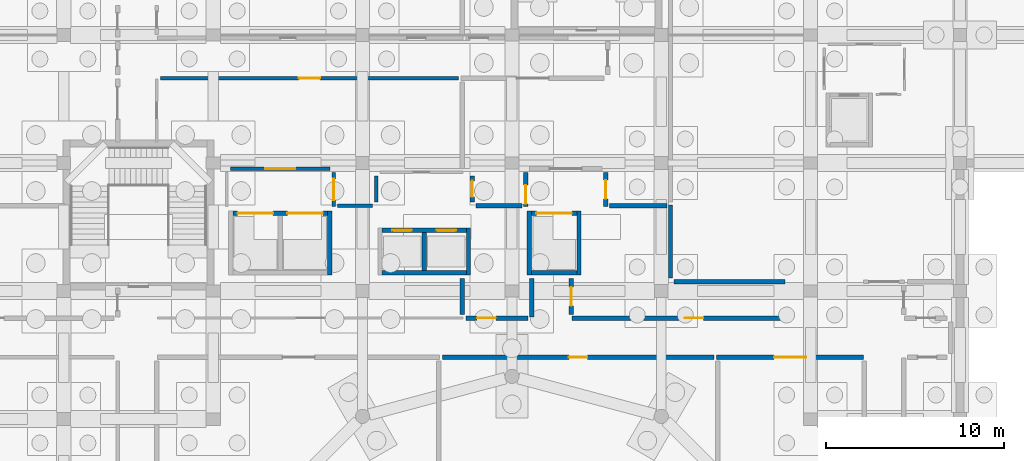
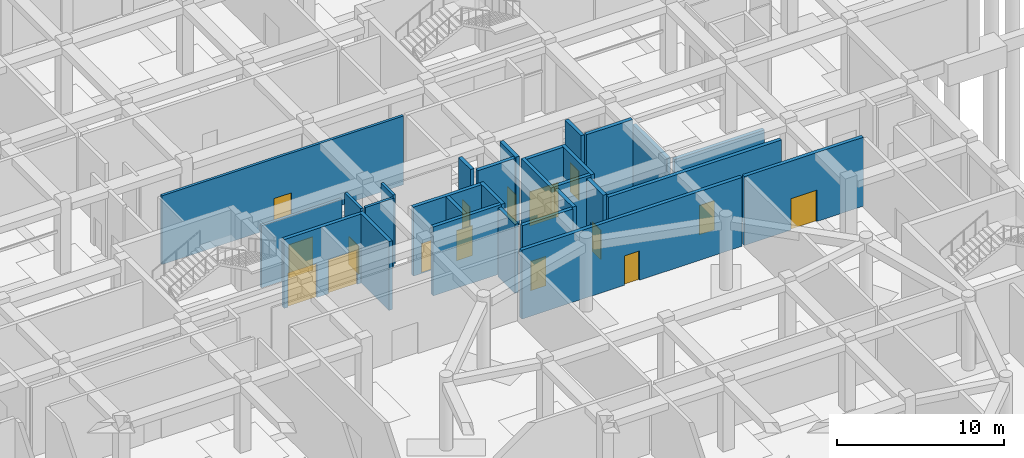
# One storey, part 24 of 32: 29 walls, 16 doors, 16 openings.
"""IFC4 building model written with IfcOpenShell, lengths in metres."""

from ifc_helpers import new_model, si_unit, derived_unit, direction, frame, frame_2d, origin, place, context, subcontext, project, spatial, rectangle, extrude, material, layer, layer_set, type_object, element, fill, save


model = new_model("IFC4")

# Units and contexts
model_context = context("Model", 3, precision=1e-05, world=origin(), true_north=direction((0.0, 1.0)))
body_context = subcontext(model_context, "Body", "Model", "MODEL_VIEW")
ifc_project = project(units=[si_unit("LENGTHUNIT", "METRE"), si_unit("AREAUNIT", "SQUARE_METRE"), si_unit("VOLUMEUNIT", "CUBIC_METRE"), si_unit("PLANEANGLEUNIT", "RADIAN"), si_unit("MASSUNIT", "GRAM", prefix="KILO"), derived_unit("THERMALTRANSMITTANCEUNIT", [(si_unit("POWERUNIT", "WATT"), 1), (si_unit("LENGTHUNIT", "METRE"), -2), (si_unit("THERMODYNAMICTEMPERATUREUNIT", "KELVIN"), -1)])], contexts=[model_context])

# Site, building, storey
site_placement = place(None, origin())
site = spatial("IfcSite", under=ifc_project, at=site_placement, CompositionType="ELEMENT")
building_placement = place(site_placement, origin())
building = spatial("IfcBuilding", under=site, at=building_placement, Name="Veybourne Emporium", CompositionType="ELEMENT")
storey_placement = place(building_placement, frame((0.0, 0.0, -5.39990234375)))
storey = spatial("IfcBuildingStorey", under=building, at=storey_placement, Name="B1", CompositionType="ELEMENT", Elevation=-5.39990234375)

# Wall, openings, doors
ifc_material_1 = material(Name="Concrete C40/50", Category="concrete")
ifc_layer_1 = layer(ifc_material_1, 0.239990234375)
ifc_layer_set_1 = layer_set([ifc_layer_1], Name="Concrete C40/50")
wall_type_1 = type_object("IfcWallType", Name="IntWall_CW-04", PredefinedType="SHEAR", material=ifc_layer_set_1)
wall_1_placement = place(storey_placement, frame((73.0400390625, 75.419921875, 0.0), z_axis=(0.0, 0.0, 1.0), x_axis=(-1.0, 0.0, 0.0)))
wall_1 = element("IfcWall", 1, at=wall_1_placement, inside=storey, type_object=wall_type_1, Name="Lift core C4P north shaft wall (B1)", PredefinedType="SHEAR", context=body_context, shape_type="SweptSolid", body=[
    extrude(rectangle(XDim=4.739990234375, YDim=0.239990234375, at=frame_2d((2.3701171875, 0.0))), origin(), (0.0, 0.0, 1.0), 5.0498046875),
])
opening_1_placement = place(wall_1_placement, frame((3.06494140625, 0.0, 0.0)))
opening_1 = element("IfcOpeningElement", 2, at=opening_1_placement, cuts=wall_1, Name="Opening LD-01", PredefinedType="OPENING", context=body_context, shape_type="SweptSolid", body=[
    extrude(rectangle(XDim=1.10009765625, YDim=2.199951171875, at=frame_2d((0.550048828125, 1.10009765625))), frame((0.0, 0.14013671875, 0.0), z_axis=(0.0, -1.0, 0.0), x_axis=(1.0, 0.0, 0.0)), (0.0, 0.0, 1.0), 0.280029296875),
])
opening_2_placement = place(wall_1_placement, frame((0.574951171875, 0.0, 0.0)))
opening_2 = element("IfcOpeningElement", 3, at=opening_2_placement, cuts=wall_1, Name="Opening LD-01", PredefinedType="OPENING", context=body_context, shape_type="SweptSolid", body=[
    extrude(rectangle(XDim=1.10009765625, YDim=2.199951171875, at=frame_2d((0.550048828125, 1.10009765625))), frame((0.0, 0.14013671875, 0.0), z_axis=(0.0, -1.0, 0.0), x_axis=(1.0, 0.0, 0.0)), (0.0, 0.0, 1.0), 0.280029296875),
])
ifc_material_2 = material(Name="Patinated Architectural Bronze", Category="bronze")
door_type_1 = type_object("IfcDoorType", Name="FireDoor_LD-01", OperationType="DOUBLE_DOOR_SLIDING", PredefinedType="DOOR", material=ifc_material_2)
door_1_placement = place(opening_1_placement, origin())
door_1 = element("IfcDoor", 4, at=door_1_placement, inside=storey, type_object=door_type_1, Name="Lift PL-05 sliding landing door (B1)", OperationType="DOUBLE_DOOR_SLIDING", OverallHeight=2.199951171875, OverallWidth=1.10009765625, PredefinedType="DOOR", context=body_context, shape_type="SweptSolid", body=[
    extrude(rectangle(XDim=1.10009765625, YDim=2.199951171875, at=frame_2d((0.550048828125, 1.10009765625))), frame((0.0, 0.02490234375, 0.0), z_axis=(0.0, -1.0, 0.0), x_axis=(1.0, 0.0, 0.0)), (0.0, 0.0, 1.0), 0.050048828125),
])
fill(opening_1, door_1)
door_2_placement = place(opening_2_placement, origin())
door_2 = element("IfcDoor", 5, at=door_2_placement, inside=storey, type_object=door_type_1, Name="Lift PL-06 sliding landing door (B1)", OperationType="DOUBLE_DOOR_SLIDING", OverallHeight=2.199951171875, OverallWidth=1.10009765625, PredefinedType="DOOR", context=body_context, shape_type="SweptSolid", body=[
    extrude(rectangle(XDim=1.10009765625, YDim=2.199951171875, at=frame_2d((0.550048828125, 1.10009765625))), frame((0.0, 0.02490234375, 0.0), z_axis=(0.0, -1.0, 0.0), x_axis=(1.0, 0.0, 0.0)), (0.0, 0.0, 1.0), 0.050048828125),
])
fill(opening_2, door_2)

# Walls
wall_2_placement = place(storey_placement, frame((68.300048828125, 73.030029296875, 0.0), z_axis=(0.0, 0.0, 1.0), x_axis=(1.0, 0.0, 0.0)))
element("IfcWall", 6, at=wall_2_placement, inside=storey, type_object=wall_type_1, Name="Lift core C4P south shaft wall (B1)", PredefinedType="SHEAR", context=body_context, shape_type="SweptSolid", body=[
    extrude(rectangle(XDim=4.739990234375, YDim=0.239990234375, at=frame_2d((2.3701171875, 0.0))), origin(), (0.0, 0.0, 1.0), 5.0498046875),
])
wall_3_placement = place(storey_placement, frame((73.159912109375, 72.909912109375, 0.0), z_axis=(0.0, 0.0, 1.0), x_axis=(0.0, 1.0, 0.0)))
element("IfcWall", 7, at=wall_3_placement, inside=storey, type_object=wall_type_1, Name="Lift core C4P east shaft wall (B1)", PredefinedType="SHEAR", context=body_context, shape_type="SweptSolid", body=[
    extrude(rectangle(XDim=2.630126953125, YDim=0.239990234375, at=frame_2d((1.31494140625, 0.0))), origin(), (0.0, 0.0, 1.0), 5.0498046875),
])
wall_4_placement = place(storey_placement, frame((70.669921875, 73.14990234375, 0.0), z_axis=(0.0, 0.0, 1.0), x_axis=(0.0, 1.0, 0.0)))
element("IfcWall", 8, at=wall_4_placement, inside=storey, type_object=wall_type_1, Name="Lift core C4P divider wall 1 (B1)", PredefinedType="SHEAR", context=body_context, shape_type="SweptSolid", body=[
    extrude(rectangle(XDim=2.150146484375, YDim=0.239990234375, at=frame_2d((1.0751953125, 0.0))), origin(), (0.0, 0.0, 1.0), 5.0498046875),
])

# Wall, openings, doors
wall_5_placement = place(storey_placement, frame((65.239990234375, 76.3701171875, 0.0), z_axis=(0.0, 0.0, 1.0), x_axis=(-1.0, 0.0, 0.0)))
wall_5 = element("IfcWall", 9, at=wall_5_placement, inside=storey, type_object=wall_type_1, Name="Lift core C4G north shaft wall (B1)", PredefinedType="SHEAR", context=body_context, shape_type="SweptSolid", body=[
    extrude(rectangle(XDim=5.340087890625, YDim=0.239990234375, at=frame_2d((2.669921875, 0.0))), origin(), (0.0, 0.0, 1.0), 5.0498046875),
])
opening_3_placement = place(wall_5_placement, frame((3.06494140625, 0.0, 0.0)))
opening_3 = element("IfcOpeningElement", 10, at=opening_3_placement, cuts=wall_5, Name="Opening LD-03", PredefinedType="OPENING", context=body_context, shape_type="SweptSolid", body=[
    extrude(rectangle(XDim=2.0, YDim=2.5, at=frame_2d((1.0, 1.25))), frame((0.0, 0.14013671875, 0.0), z_axis=(0.0, -1.0, 0.0), x_axis=(1.0, 0.0, 0.0)), (0.0, 0.0, 1.0), 0.280029296875),
])
opening_4_placement = place(wall_5_placement, frame((0.27490234375, 0.0, 0.0)))
opening_4 = element("IfcOpeningElement", 11, at=opening_4_placement, cuts=wall_5, Name="Opening LD-03", PredefinedType="OPENING", context=body_context, shape_type="SweptSolid", body=[
    extrude(rectangle(XDim=2.0, YDim=2.5, at=frame_2d((1.0, 1.25))), frame((0.0, 0.14013671875, 0.0), z_axis=(0.0, -1.0, 0.0), x_axis=(1.0, 0.0, 0.0)), (0.0, 0.0, 1.0), 0.280029296875),
])
door_type_2 = type_object("IfcDoorType", Name="FireDoor_LD-03", OperationType="DOUBLE_DOOR_SLIDING", PredefinedType="DOOR", material=ifc_material_2)
door_3_placement = place(opening_3_placement, origin())
door_3 = element("IfcDoor", 12, at=door_3_placement, inside=storey, type_object=door_type_2, Name="Lift GL-01 sliding landing door (B1)", OperationType="DOUBLE_DOOR_SLIDING", OverallHeight=2.5, OverallWidth=2.0, PredefinedType="DOOR", context=body_context, shape_type="SweptSolid", body=[
    extrude(rectangle(XDim=2.0, YDim=2.5, at=frame_2d((1.0, 1.25))), frame((0.0, 0.02490234375, 0.0), z_axis=(0.0, -1.0, 0.0), x_axis=(1.0, 0.0, 0.0)), (0.0, 0.0, 1.0), 0.050048828125),
])
fill(opening_3, door_3)
door_4_placement = place(opening_4_placement, origin())
door_4 = element("IfcDoor", 13, at=door_4_placement, inside=storey, type_object=door_type_2, Name="Lift GL-02 sliding landing door (B1)", OperationType="DOUBLE_DOOR_SLIDING", OverallHeight=2.5, OverallWidth=2.0, PredefinedType="DOOR", context=body_context, shape_type="SweptSolid", body=[
    extrude(rectangle(XDim=2.0, YDim=2.5, at=frame_2d((1.0, 1.25))), frame((0.0, 0.02490234375, 0.0), z_axis=(0.0, -1.0, 0.0), x_axis=(1.0, 0.0, 0.0)), (0.0, 0.0, 1.0), 0.050048828125),
])
fill(opening_4, door_4)

# Wall
wall_6_placement = place(storey_placement, frame((65.360107421875, 72.909912109375, 0.0), z_axis=(0.0, 0.0, 1.0), x_axis=(0.0, 1.0, 0.0)))
element("IfcWall", 14, at=wall_6_placement, inside=storey, type_object=wall_type_1, Name="Lift core C4G east shaft wall (B1)", PredefinedType="SHEAR", context=body_context, shape_type="SweptSolid", body=[
    extrude(rectangle(XDim=3.580078125, YDim=0.239990234375, at=frame_2d((1.7900390625, 0.0))), origin(), (0.0, 0.0, 1.0), 5.0498046875),
])

# Wall, opening, door
wall_7_placement = place(storey_placement, frame((79.25, 76.3701171875, 0.0), z_axis=(0.0, 0.0, 1.0), x_axis=(-1.0, 0.0, 0.0)))
wall_7 = element("IfcWall", 15, at=wall_7_placement, inside=storey, type_object=wall_type_1, Name="Lift core C4E north shaft wall (B1)", PredefinedType="SHEAR", context=body_context, shape_type="SweptSolid", body=[
    extrude(rectangle(XDim=2.550048828125, YDim=0.239990234375, at=frame_2d((1.27490234375, 0.0))), origin(), (0.0, 0.0, 1.0), 5.0498046875),
])
opening_5_placement = place(wall_7_placement, frame((0.27490234375, 0.0, 0.0)))
opening_5 = element("IfcOpeningElement", 16, at=opening_5_placement, cuts=wall_7, Name="Opening LD-03", PredefinedType="OPENING", context=body_context, shape_type="SweptSolid", body=[
    extrude(rectangle(XDim=2.0, YDim=2.5, at=frame_2d((1.0, 1.25))), frame((0.0, 0.14013671875, 0.0), z_axis=(0.0, -1.0, 0.0), x_axis=(1.0, 0.0, 0.0)), (0.0, 0.0, 1.0), 0.280029296875),
])
door_5_placement = place(opening_5_placement, origin())
door_5 = element("IfcDoor", 17, at=door_5_placement, inside=storey, type_object=door_type_2, Name="Lift GL-03 sliding landing door (B1)", OperationType="DOUBLE_DOOR_SLIDING", OverallHeight=2.5, OverallWidth=2.0, PredefinedType="DOOR", context=body_context, shape_type="SweptSolid", body=[
    extrude(rectangle(XDim=2.0, YDim=2.5, at=frame_2d((1.0, 1.25))), frame((0.0, 0.02490234375, 0.0), z_axis=(0.0, -1.0, 0.0), x_axis=(1.0, 0.0, 0.0)), (0.0, 0.0, 1.0), 0.050048828125),
])
fill(opening_5, door_5)

# Walls
wall_8_placement = place(storey_placement, frame((76.699951171875, 73.030029296875, 0.0), z_axis=(0.0, 0.0, 1.0), x_axis=(1.0, 0.0, 0.0)))
element("IfcWall", 18, at=wall_8_placement, inside=storey, type_object=wall_type_1, Name="Lift core C4E south shaft wall (B1)", PredefinedType="SHEAR", context=body_context, shape_type="SweptSolid", body=[
    extrude(rectangle(XDim=2.550048828125, YDim=0.239990234375, at=frame_2d((1.27490234375, 0.0))), origin(), (0.0, 0.0, 1.0), 5.0498046875),
])
for number, where, z_axis, x_axis, name in (
    (19, (76.580078125, 76.489990234375, 0.0), (0.0, 0.0, 1.0), (0.0, -1.0, 0.0), "Lift core C4E west shaft wall (B1)"),
    (20, (79.3701171875, 72.909912109375, 0.0), (0.0, 0.0, 1.0), (0.0, 1.0, 0.0), "Lift core C4E east shaft wall (B1)"),
):
    element("IfcWall", number, at=place(storey_placement, frame(where, z_axis=z_axis, x_axis=x_axis)), inside=storey, type_object=wall_type_1, Name=name, PredefinedType="SHEAR", context=body_context, shape_type="SweptSolid", body=[
        extrude(rectangle(XDim=3.580078125, YDim=0.239990234375, at=frame_2d((1.7900390625, 0.0))), origin(), (0.0, 0.0, 1.0), 5.0498046875),
    ])

# Wall, opening, door
ifc_material_3 = material(Name="Concrete C32/40", Category="concrete")
ifc_layer_2 = layer(ifc_material_3, 0.25)
ifc_layer_set_2 = layer_set([ifc_layer_2], Name="Concrete C32/40")
wall_type_2 = type_object("IfcWallType", Name="IntWall_FW-01", PredefinedType="SOLIDWALL", material=ifc_layer_set_2)
wall_9_placement = place(storey_placement, frame((71.68994140625, 68.27001953125, 0.0), z_axis=(0.0, 0.0, 1.0), x_axis=(1.0, 0.0, 0.0)))
wall_9 = element("IfcWall", 21, at=wall_9_placement, inside=storey, type_object=wall_type_2, Name="B1 interior partition FW-01 #016", PredefinedType="SOLIDWALL", context=body_context, shape_type="SweptSolid", body=[
    extrude(rectangle(XDim=15.27001953125, YDim=0.25, at=frame_2d((7.635009765625, 0.0))), origin(), (0.0, 0.0, 1.0), 5.0498046875),
])
opening_6_placement = place(wall_9_placement, frame((7.110107421875, 0.0, 0.0)))
opening_6 = element("IfcOpeningElement", 22, at=opening_6_placement, cuts=wall_9, Name="Opening FD-02", PredefinedType="OPENING", context=body_context, shape_type="SweptSolid", body=[
    extrude(rectangle(XDim=1.050048828125, YDim=2.14990234375, at=frame_2d((0.52490234375, 1.074951171875))), frame((0.0, 0.14501953125, 0.0), z_axis=(0.0, -1.0, 0.0), x_axis=(1.0, 0.0, 0.0)), (0.0, 0.0, 1.0), 0.2900390625),
])
door_type_3 = type_object("IfcDoorType", Name="FireDoor_FD-02", OperationType="NOTDEFINED", PredefinedType="DOOR", material=ifc_material_2)
door_6_placement = place(opening_6_placement, origin())
door_6 = element("IfcDoor", 23, at=door_6_placement, inside=storey, type_object=door_type_3, Name="B1 interior door FD-02 (PART-B1-016)", OperationType="SINGLE_SWING_RIGHT", OverallHeight=2.14990234375, OverallWidth=1.050048828125, PredefinedType="DOOR", context=body_context, shape_type="SweptSolid", body=[
    extrude(rectangle(XDim=1.050048828125, YDim=2.14990234375, at=frame_2d((0.52490234375, 1.074951171875))), frame((0.0, 0.02490234375, 0.0), z_axis=(0.0, -1.0, 0.0), x_axis=(1.0, 0.0, 0.0)), (0.0, 0.0, 1.0), 0.050048828125),
])
fill(opening_6, door_6)

wall_10_placement = place(storey_placement, frame((78.97998046875, 70.47998046875, 0.0), z_axis=(0.0, 0.0, 1.0), x_axis=(1.0, 0.0, 0.0)))
wall_10 = element("IfcWall", 24, at=wall_10_placement, inside=storey, type_object=wall_type_2, Name="B1 interior partition FW-01 #036", PredefinedType="SOLIDWALL", context=body_context, shape_type="SweptSolid", body=[
    extrude(rectangle(XDim=11.989990234375, YDim=0.25, at=frame_2d((5.9951171875, 0.0))), origin(), (0.0, 0.0, 1.0), 5.0498046875),
])
opening_7_placement = place(wall_10_placement, frame((6.34521484375, 0.0, 0.0)))
opening_7 = element("IfcOpeningElement", 25, at=opening_7_placement, cuts=wall_10, Name="Opening FD-02", PredefinedType="OPENING", context=body_context, shape_type="SweptSolid", body=[
    extrude(rectangle(XDim=1.050048828125, YDim=2.14990234375, at=frame_2d((0.52490234375, 1.074951171875))), frame((0.0, 0.14501953125, 0.0), z_axis=(0.0, -1.0, 0.0), x_axis=(1.0, 0.0, 0.0)), (0.0, 0.0, 1.0), 0.2900390625),
])
door_7_placement = place(opening_7_placement, origin())
door_7 = element("IfcDoor", 26, at=door_7_placement, inside=storey, type_object=door_type_3, Name="B1 interior door FD-02 (PART-B1-036)", OperationType="SINGLE_SWING_LEFT", OverallHeight=2.14990234375, OverallWidth=1.050048828125, PredefinedType="DOOR", context=body_context, shape_type="SweptSolid", body=[
    extrude(rectangle(XDim=1.050048828125, YDim=2.14990234375, at=frame_2d((0.52490234375, 1.074951171875))), frame((0.0, 0.02490234375, 0.0), z_axis=(0.0, -1.0, 0.0), x_axis=(1.0, 0.0, 0.0)), (0.0, 0.0, 1.0), 0.050048828125),
])
fill(opening_7, door_7)

wall_11_placement = place(storey_placement, frame((87.1201171875, 68.27001953125, 0.0), z_axis=(0.0, 0.0, 1.0), x_axis=(1.0, 0.0, 0.0)))
wall_11 = element("IfcWall", 27, at=wall_11_placement, inside=storey, type_object=wall_type_2, Name="B1 interior partition FW-01 #060", PredefinedType="SOLIDWALL", context=body_context, shape_type="SweptSolid", body=[
    extrude(rectangle(XDim=8.25, YDim=0.25, at=frame_2d((4.125, 0.0))), origin(), (0.0, 0.0, 1.0), 5.0498046875),
])
opening_8_placement = place(wall_11_placement, frame((3.22509765625, 0.0, 0.0)))
opening_8 = element("IfcOpeningElement", 28, at=opening_8_placement, cuts=wall_11, Name="Opening FD-03", PredefinedType="OPENING", context=body_context, shape_type="SweptSolid", body=[
    extrude(rectangle(XDim=1.800048828125, YDim=2.300048828125, at=frame_2d((0.89990234375, 1.14990234375))), frame((0.0, 0.14501953125, 0.0), z_axis=(0.0, -1.0, 0.0), x_axis=(1.0, 0.0, 0.0)), (0.0, 0.0, 1.0), 0.2900390625),
])
door_type_4 = type_object("IfcDoorType", Name="FireDoor_FD-03", OperationType="DOUBLE_DOOR_SINGLE_SWING", PredefinedType="DOOR", material=ifc_material_2)
door_8_placement = place(opening_8_placement, origin())
door_8 = element("IfcDoor", 29, at=door_8_placement, inside=storey, type_object=door_type_4, Name="B1 interior door FD-03 (PART-B1-060)", OperationType="DOUBLE_DOOR_SINGLE_SWING", OverallHeight=2.300048828125, OverallWidth=1.800048828125, PredefinedType="DOOR", context=body_context, shape_type="SweptSolid", body=[
    extrude(rectangle(XDim=1.800048828125, YDim=2.300048828125, at=frame_2d((0.89990234375, 1.14990234375))), frame((0.0, 0.02490234375, 0.0), z_axis=(0.0, -1.0, 0.0), x_axis=(1.0, 0.0, 0.0)), (0.0, 0.0, 1.0), 0.050048828125),
])
fill(opening_8, door_8)

wall_12_placement = place(storey_placement, frame((73.010009765625, 70.47998046875, 0.0), z_axis=(0.0, 0.0, 1.0), x_axis=(1.0, 0.0, 0.0)))
wall_12 = element("IfcWall", 30, at=wall_12_placement, inside=storey, type_object=wall_type_2, Name="B1 interior partition FW-01 #086", PredefinedType="SOLIDWALL", context=body_context, shape_type="SweptSolid", body=[
    extrude(rectangle(XDim=3.5, YDim=0.25, at=frame_2d((1.75, 0.0))), origin(), (0.0, 0.0, 1.0), 5.0498046875),
])
opening_9_placement = place(wall_12_placement, frame((0.636962890625, 0.0, 0.0)))
opening_9 = element("IfcOpeningElement", 31, at=opening_9_placement, cuts=wall_12, Name="Opening FD-02", PredefinedType="OPENING", context=body_context, shape_type="SweptSolid", body=[
    extrude(rectangle(XDim=1.050048828125, YDim=2.14990234375, at=frame_2d((0.52490234375, 1.074951171875))), frame((0.0, 0.14501953125, 0.0), z_axis=(0.0, -1.0, 0.0), x_axis=(1.0, 0.0, 0.0)), (0.0, 0.0, 1.0), 0.2900390625),
])
door_9_placement = place(opening_9_placement, origin())
door_9 = element("IfcDoor", 32, at=door_9_placement, inside=storey, type_object=door_type_3, Name="B1 interior door FD-02 (PART-B1-086)", OperationType="SINGLE_SWING_LEFT", OverallHeight=2.14990234375, OverallWidth=1.050048828125, PredefinedType="DOOR", context=body_context, shape_type="SweptSolid", body=[
    extrude(rectangle(XDim=1.050048828125, YDim=2.14990234375, at=frame_2d((0.52490234375, 1.074951171875))), frame((0.0, 0.02490234375, 0.0), z_axis=(0.0, -1.0, 0.0), x_axis=(1.0, 0.0, 0.0)), (0.0, 0.0, 1.0), 0.050048828125),
])
fill(opening_9, door_9)

# Wall
wall_13_placement = place(storey_placement, frame((76.719970703125, 70.530029296875, 0.0), z_axis=(0.0, 0.0, 1.0), x_axis=(0.0, 1.0, 0.0)))
element("IfcWall", 33, at=wall_13_placement, inside=storey, type_object=wall_type_2, Name="B1 interior partition FW-01 #104", PredefinedType="SOLIDWALL", context=body_context, shape_type="SweptSolid", body=[
    extrude(rectangle(XDim=2.169921875, YDim=0.25, at=frame_2d((1.0849609375, 0.0))), origin(), (0.0, 0.0, 1.0), 5.0498046875),
])

# Wall, opening, door
wall_14_placement = place(storey_placement, frame((78.929931640625, 70.68994140625, 0.0), z_axis=(0.0, 0.0, 1.0), x_axis=(0.0, 1.0, 0.0)))
wall_14 = element("IfcWall", 34, at=wall_14_placement, inside=storey, type_object=wall_type_2, Name="B1 interior partition FW-01 #110", PredefinedType="SOLIDWALL", context=body_context, shape_type="SweptSolid", body=[
    extrude(rectangle(XDim=2.010009765625, YDim=0.25, at=frame_2d((1.0048828125, 0.0))), origin(), (0.0, 0.0, 1.0), 5.0498046875),
])
opening_10_placement = place(wall_14_placement, frame((0.47998046875, 0.0, 0.0)))
opening_10 = element("IfcOpeningElement", 35, at=opening_10_placement, cuts=wall_14, Name="Opening FD-02", PredefinedType="OPENING", context=body_context, shape_type="SweptSolid", body=[
    extrude(rectangle(XDim=1.050048828125, YDim=2.14990234375, at=frame_2d((0.52490234375, 1.074951171875))), frame((0.0, 0.14501953125, 0.0), z_axis=(0.0, -1.0, 0.0), x_axis=(1.0, 0.0, 0.0)), (0.0, 0.0, 1.0), 0.2900390625),
])
door_10_placement = place(opening_10_placement, origin())
door_10 = element("IfcDoor", 36, at=door_10_placement, inside=storey, type_object=door_type_3, Name="B1 interior door FD-02 (PART-B1-110)", OperationType="SINGLE_SWING_LEFT", OverallHeight=2.14990234375, OverallWidth=1.050048828125, PredefinedType="DOOR", context=body_context, shape_type="SweptSolid", body=[
    extrude(rectangle(XDim=1.050048828125, YDim=2.14990234375, at=frame_2d((0.52490234375, 1.074951171875))), frame((0.0, 0.02490234375, 0.0), z_axis=(0.0, -1.0, 0.0), x_axis=(1.0, 0.0, 0.0)), (0.0, 0.0, 1.0), 0.050048828125),
])
fill(opening_10, door_10)

wall_15_placement = place(storey_placement, frame((80.8798828125, 76.75, 0.0), z_axis=(0.0, 0.0, 1.0), x_axis=(0.0, 1.0, 0.0)))
wall_15 = element("IfcWall", 37, at=wall_15_placement, inside=storey, type_object=wall_type_2, Name="B1 interior partition FW-01 #113", PredefinedType="SOLIDWALL", context=body_context, shape_type="SweptSolid", body=[
    extrude(rectangle(XDim=1.919921875, YDim=0.25, at=frame_2d((0.9599609375, 0.0))), origin(), (0.0, 0.0, 1.0), 5.0498046875),
])
opening_11_placement = place(wall_15_placement, frame((0.43505859375, 0.0, 0.0)))
opening_11 = element("IfcOpeningElement", 38, at=opening_11_placement, cuts=wall_15, Name="Opening FD-02", PredefinedType="OPENING", context=body_context, shape_type="SweptSolid", body=[
    extrude(rectangle(XDim=1.050048828125, YDim=2.14990234375, at=frame_2d((0.52490234375, 1.074951171875))), frame((0.0, 0.14501953125, 0.0), z_axis=(0.0, -1.0, 0.0), x_axis=(1.0, 0.0, 0.0)), (0.0, 0.0, 1.0), 0.2900390625),
])
door_11_placement = place(opening_11_placement, origin())
door_11 = element("IfcDoor", 39, at=door_11_placement, inside=storey, type_object=door_type_3, Name="B1 interior door FD-02 (PART-B1-113)", OperationType="SINGLE_SWING_LEFT", OverallHeight=2.14990234375, OverallWidth=1.050048828125, PredefinedType="DOOR", context=body_context, shape_type="SweptSolid", body=[
    extrude(rectangle(XDim=1.050048828125, YDim=2.14990234375, at=frame_2d((0.52490234375, 1.074951171875))), frame((0.0, 0.02490234375, 0.0), z_axis=(0.0, -1.0, 0.0), x_axis=(1.0, 0.0, 0.0)), (0.0, 0.0, 1.0), 0.050048828125),
])
fill(opening_11, door_11)

wall_16_placement = place(storey_placement, frame((76.3701171875, 76.75, 0.0), z_axis=(0.0, 0.0, 1.0), x_axis=(0.0, 1.0, 0.0)))
wall_16 = element("IfcWall", 40, at=wall_16_placement, inside=storey, type_object=wall_type_2, Name="B1 interior partition FW-01 #114", PredefinedType="SOLIDWALL", context=body_context, shape_type="SweptSolid", body=[
    extrude(rectangle(XDim=1.919921875, YDim=0.25, at=frame_2d((0.9599609375, 0.0))), origin(), (0.0, 0.0, 1.0), 5.0498046875),
])
opening_12_placement = place(wall_16_placement, frame((0.156494140625, 0.0, 0.0)))
opening_12 = element("IfcOpeningElement", 41, at=opening_12_placement, cuts=wall_16, Name="Opening FD-02", PredefinedType="OPENING", context=body_context, shape_type="SweptSolid", body=[
    extrude(rectangle(XDim=1.050048828125, YDim=2.14990234375, at=frame_2d((0.52490234375, 1.074951171875))), frame((0.0, 0.14501953125, 0.0), z_axis=(0.0, -1.0, 0.0), x_axis=(1.0, 0.0, 0.0)), (0.0, 0.0, 1.0), 0.2900390625),
])
door_12_placement = place(opening_12_placement, origin())
door_12 = element("IfcDoor", 42, at=door_12_placement, inside=storey, type_object=door_type_3, Name="B1 interior door FD-02 (PART-B1-114)", OperationType="SINGLE_SWING_RIGHT", OverallHeight=2.14990234375, OverallWidth=1.050048828125, PredefinedType="DOOR", context=body_context, shape_type="SweptSolid", body=[
    extrude(rectangle(XDim=1.050048828125, YDim=2.14990234375, at=frame_2d((0.52490234375, 1.074951171875))), frame((0.0, 0.02490234375, 0.0), z_axis=(0.0, -1.0, 0.0), x_axis=(1.0, 0.0, 0.0)), (0.0, 0.0, 1.0), 0.050048828125),
])
fill(opening_12, door_12)

wall_17_placement = place(storey_placement, frame((73.3798828125, 77.010009765625, 0.0), z_axis=(0.0, 0.0, 1.0), x_axis=(0.0, 1.0, 0.0)))
wall_17 = element("IfcWall", 43, at=wall_17_placement, inside=storey, type_object=wall_type_2, Name="B1 interior partition FW-01 #133", PredefinedType="SOLIDWALL", context=body_context, shape_type="SweptSolid", body=[
    extrude(rectangle(XDim=1.4599609375, YDim=0.25, at=frame_2d((0.72998046875, 0.0))), origin(), (0.0, 0.0, 1.0), 5.0498046875),
])
opening_13_placement = place(wall_17_placement, frame((0.280029296875, 0.0, 0.0)))
opening_13 = element("IfcOpeningElement", 44, at=opening_13_placement, cuts=wall_17, Name="Opening FD-04", PredefinedType="OPENING", context=body_context, shape_type="SweptSolid", body=[
    extrude(rectangle(XDim=0.89990234375, YDim=2.10009765625, at=frame_2d((0.449951171875, 1.050048828125))), frame((0.0, 0.14501953125, 0.0), z_axis=(0.0, -1.0, 0.0), x_axis=(1.0, 0.0, 0.0)), (0.0, 0.0, 1.0), 0.2900390625),
])
door_type_5 = type_object("IfcDoorType", Name="FireDoor_FD-04", OperationType="NOTDEFINED", PredefinedType="DOOR", material=ifc_material_2)
door_13_placement = place(opening_13_placement, origin())
door_13 = element("IfcDoor", 45, at=door_13_placement, inside=storey, type_object=door_type_5, Name="B1 interior door FD-04 (PART-B1-133)", OperationType="SINGLE_SWING_RIGHT", OverallHeight=2.10009765625, OverallWidth=0.89990234375, PredefinedType="DOOR", context=body_context, shape_type="SweptSolid", body=[
    extrude(rectangle(XDim=0.89990234375, YDim=2.10009765625, at=frame_2d((0.449951171875, 1.050048828125))), frame((0.0, 0.02490234375, 0.0), z_axis=(0.0, -1.0, 0.0), x_axis=(1.0, 0.0, 0.0)), (0.0, 0.0, 1.0), 0.050048828125),
])
fill(opening_13, door_13)

# Walls
wall_18_placement = place(storey_placement, frame((84.72998046875, 72.52001953125, 0.0), z_axis=(0.0, 0.0, 1.0), x_axis=(1.0, 0.0, 0.0)))
element("IfcWall", 46, at=wall_18_placement, inside=storey, type_object=wall_type_2, Name="B1 interior partition FW-01 #163", PredefinedType="SOLIDWALL", context=body_context, shape_type="SweptSolid", body=[
    extrude(rectangle(XDim=6.239990234375, YDim=0.25, at=frame_2d((3.1201171875, 0.0))), origin(), (0.0, 0.0, 1.0), 4.5498046875),
])
wall_19_placement = place(storey_placement, frame((84.52001953125, 72.72998046875, 0.0), z_axis=(0.0, 0.0, 1.0), x_axis=(0.0, 1.0, 0.0)))
element("IfcWall", 47, at=wall_19_placement, inside=storey, type_object=wall_type_2, Name="B1 interior partition FW-01 #170", PredefinedType="SOLIDWALL", context=body_context, shape_type="SweptSolid", body=[
    extrude(rectangle(XDim=4.1201171875, YDim=0.25, at=frame_2d((2.06005859375, 0.0))), origin(), (0.0, 0.0, 1.0), 4.5498046875),
])
wall_20_placement = place(storey_placement, frame((81.090087890625, 76.800048828125, 0.0), z_axis=(0.0, 0.0, 1.0), x_axis=(1.0, 0.0, 0.0)))
element("IfcWall", 48, at=wall_20_placement, inside=storey, type_object=wall_type_2, Name="B1 interior partition FW-01 #175", PredefinedType="SOLIDWALL", context=body_context, shape_type="SweptSolid", body=[
    extrude(rectangle(XDim=3.219970703125, YDim=0.25, at=frame_2d((1.60986328125, 0.0))), origin(), (0.0, 0.0, 1.0), 5.0498046875),
])
wall_21_placement = place(storey_placement, frame((73.590087890625, 76.800048828125, 0.0), z_axis=(0.0, 0.0, 1.0), x_axis=(1.0, 0.0, 0.0)))
element("IfcWall", 49, at=wall_21_placement, inside=storey, type_object=wall_type_2, Name="B1 interior partition FW-01 #185", PredefinedType="SOLIDWALL", context=body_context, shape_type="SweptSolid", body=[
    extrude(rectangle(XDim=2.56982421875, YDim=0.25, at=frame_2d((1.284912109375, 0.0))), origin(), (0.0, 0.0, 1.0), 5.0498046875),
])
wall_22_placement = place(storey_placement, frame((72.800048828125, 70.68994140625, 0.0), z_axis=(0.0, 0.0, 1.0), x_axis=(0.0, 1.0, 0.0)))
element("IfcWall", 50, at=wall_22_placement, inside=storey, type_object=wall_type_2, Name="B1 interior partition FW-01 #191", PredefinedType="SOLIDWALL", context=body_context, shape_type="SweptSolid", body=[
    extrude(rectangle(XDim=2.010009765625, YDim=0.25, at=frame_2d((1.0048828125, 0.0))), origin(), (0.0, 0.0, 1.0), 5.0498046875),
])

# Wall, opening, door
ifc_material_4 = material(Name="Gypsum Acoustic Board", Category="gypsum")
ifc_layer_3 = layer(ifc_material_4, 0.179931640625)
ifc_layer_set_3 = layer_set([ifc_layer_3], Name="Gypsum Acoustic Board")
wall_type_3 = type_object("IfcWallType", Name="IntWall_IW-01", PredefinedType="PARTITIONING", material=ifc_layer_set_3)
wall_23_placement = place(storey_placement, frame((55.840087890625, 83.969970703125, 0.0), z_axis=(0.0, 0.0, 1.0), x_axis=(1.0, 0.0, 0.0)))
wall_23 = element("IfcWall", 51, at=wall_23_placement, inside=storey, type_object=wall_type_3, Name="B1 interior partition IW-01 #009", PredefinedType="PARTITIONING", context=body_context, shape_type="SweptSolid", body=[
    extrude(rectangle(XDim=16.75, YDim=0.179931640625, at=frame_2d((8.375, 0.0))), origin(), (0.0, 0.0, 1.0), 5.0498046875),
])
opening_14_placement = place(wall_23_placement, frame((7.77490234375, 0.0, 0.0)))
opening_14 = element("IfcOpeningElement", 52, at=opening_14_placement, cuts=wall_23, Name="Opening D-09", PredefinedType="OPENING", context=body_context, shape_type="SweptSolid", body=[
    extrude(rectangle(XDim=1.199951171875, YDim=2.1298828125, at=frame_2d((0.60009765625, 1.06494140625))), frame((0.0, 0.10986328125, 0.0), z_axis=(0.0, -1.0, 0.0), x_axis=(1.0, 0.0, 0.0)), (0.0, 0.0, 1.0), 0.219970703125),
])
ifc_material_5 = material(Name="European Oak Veneer and Bronze", Category="wood")
door_type_6 = type_object("IfcDoorType", Name="IntDoor_D-09", OperationType="NOTDEFINED", PredefinedType="DOOR", material=ifc_material_5)
door_14_placement = place(opening_14_placement, origin())
door_14 = element("IfcDoor", 53, at=door_14_placement, inside=storey, type_object=door_type_6, Name="B1 interior door D-09 (PART-B1-009)", OperationType="SINGLE_SWING_RIGHT", OverallHeight=2.1298828125, OverallWidth=1.199951171875, PredefinedType="DOOR", context=body_context, shape_type="SweptSolid", body=[
    extrude(rectangle(XDim=1.199951171875, YDim=2.1298828125, at=frame_2d((0.60009765625, 1.06494140625))), frame((0.0, 0.02490234375, 0.0), z_axis=(0.0, -1.0, 0.0), x_axis=(1.0, 0.0, 0.0)), (0.0, 0.0, 1.0), 0.050048828125),
])
fill(opening_14, door_14)

wall_24_placement = place(storey_placement, frame((59.780029296875, 78.8798828125, 0.0), z_axis=(0.0, 0.0, 1.0), x_axis=(1.0, 0.0, 0.0)))
wall_24 = element("IfcWall", 54, at=wall_24_placement, inside=storey, type_object=wall_type_3, Name="B1 interior partition IW-01 #072", PredefinedType="PARTITIONING", context=body_context, shape_type="SweptSolid", body=[
    extrude(rectangle(XDim=5.590087890625, YDim=0.179931640625, at=frame_2d((2.794921875, 0.0))), origin(), (0.0, 0.0, 1.0), 4.5498046875),
])
opening_15_placement = place(wall_24_placement, frame((1.955078125, 0.0, 0.0)))
opening_15 = element("IfcOpeningElement", 55, at=opening_15_placement, cuts=wall_24, Name="Opening D-36", PredefinedType="OPENING", context=body_context, shape_type="SweptSolid", body=[
    extrude(rectangle(XDim=1.679931640625, YDim=2.449951171875, at=frame_2d((0.83984375, 1.22509765625))), frame((0.0, 0.10986328125, 0.0), z_axis=(0.0, -1.0, 0.0), x_axis=(1.0, 0.0, 0.0)), (0.0, 0.0, 1.0), 0.219970703125),
])
door_type_7 = type_object("IfcDoorType", Name="IntDoor_D-36", OperationType="DOUBLE_DOOR_SINGLE_SWING", PredefinedType="DOOR", material=ifc_material_5)
door_15_placement = place(opening_15_placement, origin())
door_15 = element("IfcDoor", 56, at=door_15_placement, inside=storey, type_object=door_type_7, Name="B1 interior door D-36 (PART-B1-072)", OperationType="DOUBLE_DOOR_SINGLE_SWING", OverallHeight=2.449951171875, OverallWidth=1.679931640625, PredefinedType="DOOR", context=body_context, shape_type="SweptSolid", body=[
    extrude(rectangle(XDim=1.679931640625, YDim=2.449951171875, at=frame_2d((0.83984375, 1.22509765625))), frame((0.0, 0.02490234375, 0.0), z_axis=(0.0, -1.0, 0.0), x_axis=(1.0, 0.0, 0.0)), (0.0, 0.0, 1.0), 0.050048828125),
])
fill(opening_15, door_15)

wall_25_placement = place(storey_placement, frame((65.580078125, 76.75, 0.0), z_axis=(0.0, 0.0, 1.0), x_axis=(0.0, 1.0, 0.0)))
wall_25 = element("IfcWall", 57, at=wall_25_placement, inside=storey, type_object=wall_type_3, Name="B1 interior partition IW-01 #111", PredefinedType="PARTITIONING", context=body_context, shape_type="SweptSolid", body=[
    extrude(rectangle(XDim=1.919921875, YDim=0.179931640625, at=frame_2d((0.9599609375, 0.0))), origin(), (0.0, 0.0, 1.0), 5.0498046875),
])
opening_16_placement = place(wall_25_placement, frame((0.360107421875, 0.0, 0.0)))
opening_16 = element("IfcOpeningElement", 58, at=opening_16_placement, cuts=wall_25, Name="Opening D-03", PredefinedType="OPENING", context=body_context, shape_type="SweptSolid", body=[
    extrude(rectangle(XDim=1.199951171875, YDim=2.050048828125, at=frame_2d((0.60009765625, 1.02490234375))), frame((0.0, 0.10986328125, 0.0), z_axis=(0.0, -1.0, 0.0), x_axis=(1.0, 0.0, 0.0)), (0.0, 0.0, 1.0), 0.219970703125),
])
door_type_8 = type_object("IfcDoorType", Name="IntDoor_D-03", OperationType="NOTDEFINED", PredefinedType="DOOR", material=ifc_material_5)
door_16_placement = place(opening_16_placement, origin())
door_16 = element("IfcDoor", 59, at=door_16_placement, inside=storey, type_object=door_type_8, Name="B1 interior door D-03 (PART-B1-111)", OperationType="SINGLE_SWING_RIGHT", OverallHeight=2.050048828125, OverallWidth=1.199951171875, PredefinedType="DOOR", context=body_context, shape_type="SweptSolid", body=[
    extrude(rectangle(XDim=1.199951171875, YDim=2.050048828125, at=frame_2d((0.60009765625, 1.02490234375))), frame((0.0, 0.02490234375, 0.0), z_axis=(0.0, -1.0, 0.0), x_axis=(1.0, 0.0, 0.0)), (0.0, 0.0, 1.0), 0.050048828125),
])
fill(opening_16, door_16)

# Walls
wall_26_placement = place(storey_placement, frame((67.969970703125, 77.010009765625, 0.0), z_axis=(0.0, 0.0, 1.0), x_axis=(0.0, 1.0, 0.0)))
element("IfcWall", 60, at=wall_26_placement, inside=storey, type_object=wall_type_3, Name="B1 interior partition IW-01 #132", PredefinedType="PARTITIONING", context=body_context, shape_type="SweptSolid", body=[
    extrude(rectangle(XDim=1.4599609375, YDim=0.179931640625, at=frame_2d((0.72998046875, 0.0))), origin(), (0.0, 0.0, 1.0), 5.0498046875),
])
wall_27_placement = place(storey_placement, frame((65.7900390625, 76.800048828125, 0.0), z_axis=(0.0, 0.0, 1.0), x_axis=(1.0, 0.0, 0.0)))
element("IfcWall", 61, at=wall_27_placement, inside=storey, type_object=wall_type_3, Name="B1 interior partition IW-01 #192", PredefinedType="PARTITIONING", context=body_context, shape_type="SweptSolid", body=[
    extrude(rectangle(XDim=1.969970703125, YDim=0.179931640625, at=frame_2d((0.98486328125, 0.0))), origin(), (0.0, 0.0, 1.0), 5.0498046875),
])

save(model, "model.ifc")
